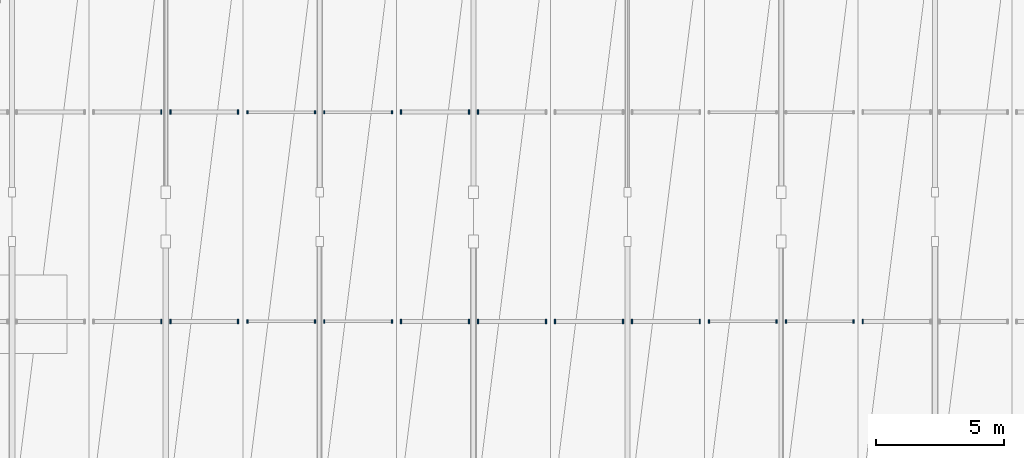
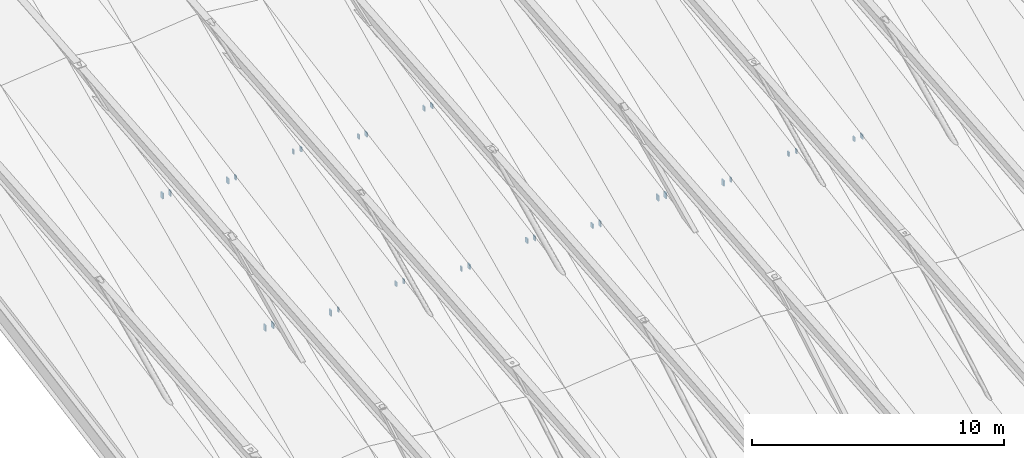
# One storey, part 40 of 52: 30 discrete accessories.
"""IFC4 building model written with IfcOpenShell, lengths in metres."""

from ifc_helpers import new_model, si_unit, direction, frame, origin, origin_2d, place, context, subcontext, project, spatial, rectangle, extrude, material, layer, layer_set, type_object, element, save


model = new_model("IFC4")

# Units and contexts
model_context = context("Model", 3, precision=1e-05, world=origin(), true_north=direction((0.0, 1.0)))
body_context = subcontext(model_context, "Body", "Model", "MODEL_VIEW")
ifc_project = project(units=[si_unit("LENGTHUNIT", "METRE"), si_unit("AREAUNIT", "SQUARE_METRE"), si_unit("VOLUMEUNIT", "CUBIC_METRE"), si_unit("PLANEANGLEUNIT", "RADIAN"), si_unit("MASSUNIT", "GRAM", prefix="KILO")], contexts=[model_context])

# Site, building, storey
site_placement = place(None, origin())
site = spatial("IfcSite", under=ifc_project, at=site_placement, CompositionType="ELEMENT")
building_placement = place(site_placement, origin())
building = spatial("IfcBuilding", under=site, at=building_placement, Name="Vaelkrest Opera House", CompositionType="ELEMENT")
storey_placement = place(building_placement, frame((0.0, 0.0, 41.39990234375)))
storey = spatial("IfcBuildingStorey", under=building, at=storey_placement, Name="ROOF", CompositionType="ELEMENT", Elevation=41.39990234375)

# Discrete accessories
ifc_material = material(Name="Steel A572 Gr50", Category="steel")
ifc_layer = layer(ifc_material, 0.320068359375)
ifc_layer_set = layer_set([ifc_layer], Name="Steel A572 Gr50")
discrete_accessory_type = type_object("IfcDiscreteAccessoryType", Name="ECP01", PredefinedType="USERDEFINED", material=ifc_layer_set)
for number, where, z_axis, x_axis, name in (
    (1, (-21.177490234375, -23.8798828125, -10.7099609375), (0.0, 0.0, 1.0), (1.0, 0.0, 0.0), "Purlin HSS end cap plate V1-02-S2-33-W1"),
    (2, (-20.822509765625, -23.8798828125, -10.7099609375), (0.0, 0.0, 1.0), (1.0, 0.0, 0.0), "Purlin HSS end cap plate V1-02-S2-33-E0"),
    (3, (-18.177490234375, -23.8798828125, -11.033935546875), (0.0, 0.0, 1.0), (1.0, 0.0, 0.0), "Purlin HSS end cap plate V1-02-S2-33-E1"),
    (4, (-21.177490234375, -15.719970703125, -9.25), (0.0, 0.0, 1.0), (1.0, 0.0, 0.0), "Purlin HSS end cap plate V1-02-S2-67-W1"),
    (5, (-20.822509765625, -15.719970703125, -9.25), (0.0, 0.0, 1.0), (1.0, 0.0, 0.0), "Purlin HSS end cap plate V1-02-S2-67-E0"),
    (6, (-18.177490234375, -15.719970703125, -9.573974609375), (0.0, 0.0, 1.0), (1.0, 0.0, 0.0), "Purlin HSS end cap plate V1-02-S2-67-E1"),
):
    element("IfcDiscreteAccessory", number, at=place(storey_placement, frame(where, z_axis=z_axis, x_axis=x_axis)), inside=storey, type_object=discrete_accessory_type, Name=name, ObjectType="CAP PLATE", PredefinedType="USERDEFINED", context=body_context, shape_type="SweptSolid", body=[
        extrude(rectangle(XDim=0.054931640625, YDim=0.176025390625, at=origin_2d()), origin(), (0.0, 0.0, 1.0), 0.27001953125),
    ])
for number, where, z_axis, x_axis, name in (
    (7, (-17.822509765625, -23.8798828125, -10.9833984375), (0.0, 0.0, 1.0), (1.0, 0.0, 0.0), "Purlin HSS end cap plate V1-03-S2-33-W0"),
    (8, (-15.177490234375, -23.8798828125, -10.6591796875), (0.0, 0.0, 1.0), (1.0, 0.0, 0.0), "Purlin HSS end cap plate V1-03-S2-33-W1"),
    (9, (-14.822509765625, -23.8798828125, -10.6591796875), (0.0, 0.0, 1.0), (1.0, 0.0, 0.0), "Purlin HSS end cap plate V1-03-S2-33-E0"),
    (10, (-12.177490234375, -23.8798828125, -10.9833984375), (0.0, 0.0, 1.0), (1.0, 0.0, 0.0), "Purlin HSS end cap plate V1-03-S2-33-E1"),
    (11, (-17.822509765625, -15.719970703125, -9.5234375), (0.0, 0.0, 1.0), (1.0, 0.0, 0.0), "Purlin HSS end cap plate V1-03-S2-67-W0"),
    (12, (-15.177490234375, -15.719970703125, -9.19921875), (0.0, 0.0, 1.0), (1.0, 0.0, 0.0), "Purlin HSS end cap plate V1-03-S2-67-W1"),
    (13, (-14.822509765625, -15.719970703125, -9.19921875), (0.0, 0.0, 1.0), (1.0, 0.0, 0.0), "Purlin HSS end cap plate V1-03-S2-67-E0"),
    (14, (-12.177490234375, -15.719970703125, -9.5234375), (0.0, 0.0, 1.0), (1.0, 0.0, 0.0), "Purlin HSS end cap plate V1-03-S2-67-E1"),
):
    element("IfcDiscreteAccessory", number, at=place(storey_placement, frame(where, z_axis=z_axis, x_axis=x_axis)), inside=storey, type_object=discrete_accessory_type, Name=name, ObjectType="CAP PLATE", PredefinedType="USERDEFINED", context=body_context, shape_type="SweptSolid", body=[
        extrude(rectangle(XDim=0.054931640625, YDim=0.1259765625, at=origin_2d()), origin(), (0.0, 0.0, 1.0), 0.218994140625),
    ])
for number, where, z_axis, x_axis, name in (
    (15, (-11.822509765625, -23.8798828125, -10.9833984375), (0.0, 0.0, 1.0), (1.0, 0.0, 0.0), "Purlin HSS end cap plate V1-04-S2-33-W0"),
    (16, (-9.177490234375, -23.8798828125, -10.6591796875), (0.0, 0.0, 1.0), (1.0, 0.0, 0.0), "Purlin HSS end cap plate V1-04-S2-33-W1"),
    (17, (-8.822509765625, -23.8798828125, -10.6591796875), (0.0, 0.0, 1.0), (1.0, 0.0, 0.0), "Purlin HSS end cap plate V1-04-S2-33-E0"),
    (18, (-6.177490234375, -23.8798828125, -10.9833984375), (0.0, 0.0, 1.0), (1.0, 0.0, 0.0), "Purlin HSS end cap plate V1-04-S2-33-E1"),
    (19, (-11.822509765625, -15.719970703125, -9.5234375), (0.0, 0.0, 1.0), (1.0, 0.0, 0.0), "Purlin HSS end cap plate V1-04-S2-67-W0"),
    (20, (-9.177490234375, -15.719970703125, -9.19921875), (0.0, 0.0, 1.0), (1.0, 0.0, 0.0), "Purlin HSS end cap plate V1-04-S2-67-W1"),
    (21, (-8.822509765625, -15.719970703125, -9.19921875), (0.0, 0.0, 1.0), (1.0, 0.0, 0.0), "Purlin HSS end cap plate V1-04-S2-67-E0"),
):
    element("IfcDiscreteAccessory", number, at=place(storey_placement, frame(where, z_axis=z_axis, x_axis=x_axis)), inside=storey, type_object=discrete_accessory_type, Name=name, ObjectType="CAP PLATE", PredefinedType="USERDEFINED", context=body_context, shape_type="SweptSolid", body=[
        extrude(rectangle(XDim=0.054931640625, YDim=0.176025390625, at=origin_2d()), origin(), (0.0, 0.0, 1.0), 0.218994140625),
    ])
for number, where, z_axis, x_axis, name in (
    (22, (-5.822509765625, -23.8798828125, -11.033935546875), (0.0, 0.0, 1.0), (1.0, 0.0, 0.0), "Purlin HSS end cap plate V1-05-S2-33-W0"),
    (23, (-3.177490234375, -23.8798828125, -10.7099609375), (0.0, 0.0, 1.0), (1.0, 0.0, 0.0), "Purlin HSS end cap plate V1-05-S2-33-W1"),
    (24, (-2.822509765625, -23.8798828125, -10.7099609375), (0.0, 0.0, 1.0), (1.0, 0.0, 0.0), "Purlin HSS end cap plate V1-05-S2-33-E0"),
    (25, (-0.177490234375, -23.8798828125, -11.033935546875), (0.0, 0.0, 1.0), (1.0, 0.0, 0.0), "Purlin HSS end cap plate V1-05-S2-33-E1"),
):
    element("IfcDiscreteAccessory", number, at=place(storey_placement, frame(where, z_axis=z_axis, x_axis=x_axis)), inside=storey, type_object=discrete_accessory_type, Name=name, ObjectType="CAP PLATE", PredefinedType="USERDEFINED", context=body_context, shape_type="SweptSolid", body=[
        extrude(rectangle(XDim=0.054931640625, YDim=0.176025390625, at=origin_2d()), origin(), (0.0, 0.0, 1.0), 0.27001953125),
    ])
for number, where, z_axis, x_axis, name in (
    (26, (0.177490234375, -23.8798828125, -10.9833984375), (0.0, 0.0, 1.0), (1.0, 0.0, 0.0), "Purlin HSS end cap plate V1-06-S2-33-W0"),
    (27, (2.822509765625, -23.8798828125, -10.6591796875), (0.0, 0.0, 1.0), (1.0, 0.0, 0.0), "Purlin HSS end cap plate V1-06-S2-33-W1"),
    (28, (3.177490234375, -23.8798828125, -10.6591796875), (0.0, 0.0, 1.0), (1.0, 0.0, 0.0), "Purlin HSS end cap plate V1-06-S2-33-E0"),
    (29, (5.822509765625, -23.8798828125, -10.9833984375), (0.0, 0.0, 1.0), (1.0, 0.0, 0.0), "Purlin HSS end cap plate V1-06-S2-33-E1"),
):
    element("IfcDiscreteAccessory", number, at=place(storey_placement, frame(where, z_axis=z_axis, x_axis=x_axis)), inside=storey, type_object=discrete_accessory_type, Name=name, ObjectType="CAP PLATE", PredefinedType="USERDEFINED", context=body_context, shape_type="SweptSolid", body=[
        extrude(rectangle(XDim=0.054931640625, YDim=0.1259765625, at=origin_2d()), origin(), (0.0, 0.0, 1.0), 0.218994140625),
    ])
discrete_accessory_placement = place(storey_placement, frame((6.177490234375, -23.8798828125, -10.9833984375), z_axis=(0.0, 0.0, 1.0), x_axis=(1.0, 0.0, 0.0)))
element("IfcDiscreteAccessory", 30, at=discrete_accessory_placement, inside=storey, type_object=discrete_accessory_type, Name="Purlin HSS end cap plate V1-07-S2-33-W0", ObjectType="CAP PLATE", PredefinedType="USERDEFINED", context=body_context, shape_type="SweptSolid", body=[
    extrude(rectangle(XDim=0.054931640625, YDim=0.176025390625, at=origin_2d()), origin(), (0.0, 0.0, 1.0), 0.218994140625),
])

save(model, "model.ifc")
